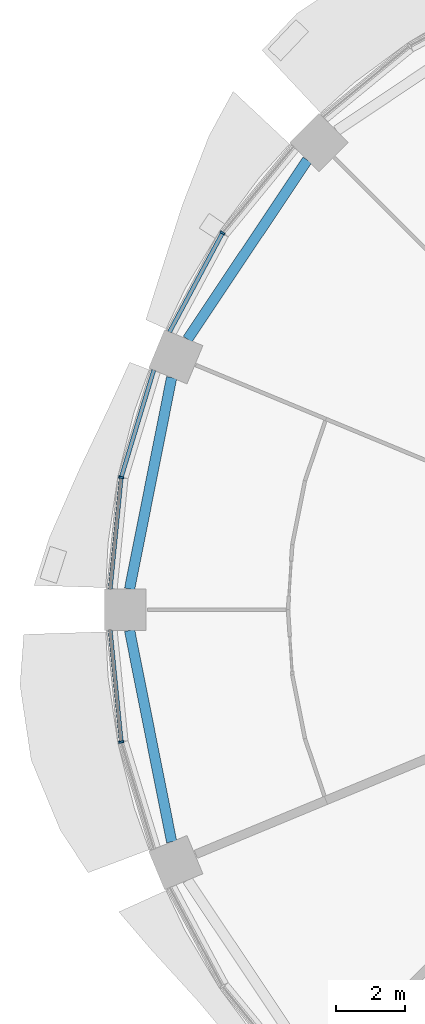
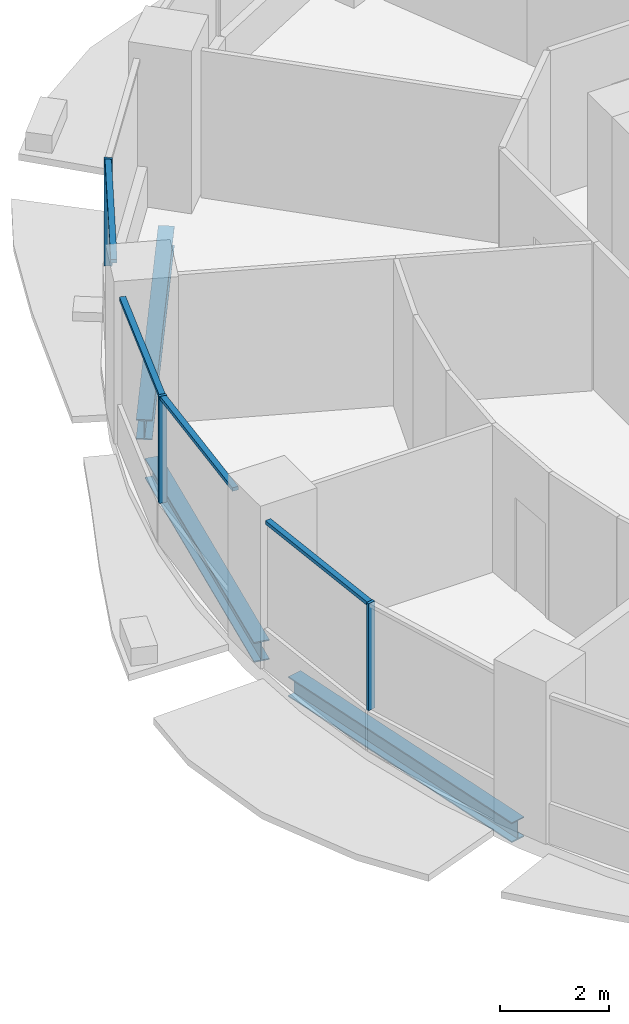
# One storey, part 4 of 15: 7 members, 3 beams, 3 elements without a shape of their own.
"""IFC4 building model written with IfcOpenShell, lengths in metres."""

from ifc_helpers import new_model, si_unit, direction, frame, origin, origin_2d, place, context, subcontext, project, spatial, rectangle, i_section, extrude, material, material_profile, profile_set, type_object, element, aggregate, save


model = new_model("IFC4")

# Units and contexts
model_context = context("Model", 3, precision=1e-05, world=origin(), true_north=direction((0.0, 1.0)))
body_context = subcontext(model_context, "Body", "Model", "MODEL_VIEW")
ifc_project = project(units=[si_unit("LENGTHUNIT", "METRE"), si_unit("AREAUNIT", "SQUARE_METRE"), si_unit("VOLUMEUNIT", "CUBIC_METRE"), si_unit("PLANEANGLEUNIT", "RADIAN"), si_unit("MASSUNIT", "GRAM", prefix="KILO")], contexts=[model_context])

# Site, building, storey
site_placement = place(None, origin())
site = spatial("IfcSite", under=ifc_project, at=site_placement, CompositionType="ELEMENT")
building_placement = place(site_placement, origin())
building = spatial("IfcBuilding", under=site, at=building_placement, Name="Polderwave Tower", CompositionType="ELEMENT")
storey_placement = place(building_placement, frame((0.0, 0.0, 40.800048828125)))
storey = spatial("IfcBuildingStorey", under=building, at=storey_placement, Name="L10", CompositionType="ELEMENT", Elevation=40.800048828125)

# Curtain wall, member
ifc_material_1 = material(Name="Aluminium 6063-T6 and glass", Category="aluminium")
curtain_wall_type = type_object("IfcCurtainWallType", Name="Growing floor ribbon glazing wall", PredefinedType="NOTDEFINED", material=ifc_material_1)
curtain_wall_1_placement = place(storey_placement, origin())
curtain_wall_1 = element("IfcCurtainWall", 1, at=curtain_wall_1_placement, inside=storey, type_object=curtain_wall_type, Name="CW2 L10 06", PredefinedType="NOTDEFINED")
ifc_material_2 = material(Name="Aluminium 6063-T6", Category="aluminium")
ifc_material_profile_1 = material_profile(ifc_material_2, rectangle(XDim=0.14990234375, YDim=0.06005859375, at=origin_2d()), Name="AL 60x150")
ifc_profile_set_1 = profile_set([ifc_material_profile_1], Name="Aluminium 6063-T6")
member_type_1 = type_object("IfcMemberType", Name="Growing floor ribbon glazing mullion 60x150", PredefinedType="MULLION", material=ifc_profile_set_1)
member_1_placement = place(storey_placement, frame((-16.304931640625, 10.89501953125, 0.89990234375), z_axis=(0.0, 0.0, 1.0), x_axis=(0.831468642648, -0.555571684207, 0.0)))
member_1 = element("IfcMember", 2, at=member_1_placement, type_object=member_type_1, Name="CW2 mullion 1", PredefinedType="MULLION", context=body_context, shape_type="SweptSolid", body=[
    extrude(rectangle(XDim=0.14990234375, YDim=0.06005859375, at=origin_2d()), origin(), (0.0, 0.0, 1.0), 2.400146484375),
])

curtain_wall_2_placement = place(storey_placement, origin())
curtain_wall_2 = element("IfcCurtainWall", 3, at=curtain_wall_2_placement, inside=storey, type_object=curtain_wall_type, Name="CW2 L10 07", PredefinedType="NOTDEFINED")
member_2_placement = place(storey_placement, frame((-19.23291015625, 3.825927734375, 0.89990234375), z_axis=(0.0, 0.0, 1.0), x_axis=(0.980767911179, -0.195177622698, 0.0)))
member_2 = element("IfcMember", 4, at=member_2_placement, type_object=member_type_1, Name="CW2 mullion 1", PredefinedType="MULLION", context=body_context, shape_type="SweptSolid", body=[
    extrude(rectangle(XDim=0.14990234375, YDim=0.06005859375, at=origin_2d()), origin(), (0.0, 0.0, 1.0), 2.400146484375),
])

curtain_wall_3_placement = place(storey_placement, origin())
curtain_wall_3 = element("IfcCurtainWall", 5, at=curtain_wall_3_placement, inside=storey, type_object=curtain_wall_type, Name="CW2 L10 08", PredefinedType="NOTDEFINED")
member_3_placement = place(storey_placement, frame((-19.23291015625, -3.825927734375, 0.89990234375), z_axis=(0.0, 0.0, 1.0), x_axis=(0.980767911179, 0.195177622698, 0.0)))
member_3 = element("IfcMember", 6, at=member_3_placement, type_object=member_type_1, Name="CW2 mullion 1", PredefinedType="MULLION", context=body_context, shape_type="SweptSolid", body=[
    extrude(rectangle(XDim=0.14990234375, YDim=0.06005859375, at=origin_2d()), origin(), (0.0, 0.0, 1.0), 2.400146484375),
])

# Member
ifc_material_profile_2 = material_profile(ifc_material_2, rectangle(XDim=0.1201171875, YDim=0.080078125, at=origin_2d()), Name="AL 80x120")
ifc_profile_set_2 = profile_set([ifc_material_profile_2], Name="Aluminium 6063-T6")
member_type_2 = type_object("IfcMemberType", Name="Growing floor ribbon glazing transom 80x120", PredefinedType="USERDEFINED", material=ifc_profile_set_2)
member_4_placement = place(storey_placement, frame((-16.319091796875, 10.868408203125, 3.260009765625), z_axis=(-0.471373193578, -0.881933848072, 0.0), x_axis=(0.881933848072, -0.471373193578, 0.0)))
member_4 = element("IfcMember", 7, at=member_4_placement, type_object=member_type_2, Name="CW2 transom 2", ObjectType="TRANSOM", PredefinedType="USERDEFINED", context=body_context, shape_type="SweptSolid", body=[
    extrude(rectangle(XDim=0.1201171875, YDim=0.080078125, at=origin_2d()), origin(), (0.0, 0.0, 1.0), 3.211669921875),
])

aggregate(curtain_wall_1, [member_1, member_4])

member_5_placement = place(storey_placement, frame((-18.2919921875, 6.927001953125, 3.260009765625), z_axis=(-0.290402031143, -0.956904728961, 0.0), x_axis=(0.956904728961, -0.290402031143, 0.0)))
member_5 = element("IfcMember", 8, at=member_5_placement, type_object=member_type_2, Name="CW2 transom 1", ObjectType="TRANSOM", PredefinedType="USERDEFINED", context=body_context, shape_type="SweptSolid", body=[
    extrude(rectangle(XDim=0.1201171875, YDim=0.080078125, at=origin_2d()), origin(), (0.0, 0.0, 1.0), 3.210693359375),
])

member_6_placement = place(storey_placement, frame((-19.23583984375, 3.796142578125, 3.260009765625), z_axis=(-0.098141294442, -0.99517249074, 0.0), x_axis=(0.99517249074, -0.098141294442, 0.0)))
member_6 = element("IfcMember", 9, at=member_6_placement, type_object=member_type_2, Name="CW2 transom 2", ObjectType="TRANSOM", PredefinedType="USERDEFINED", context=body_context, shape_type="SweptSolid", body=[
    extrude(rectangle(XDim=0.1201171875, YDim=0.080078125, at=origin_2d()), origin(), (0.0, 0.0, 1.0), 3.211669921875),
])

aggregate(curtain_wall_2, [member_2, member_5, member_6])

member_7_placement = place(storey_placement, frame((-19.551025390625, -0.60009765625, 3.260009765625), z_axis=(0.098141294442, -0.99517249074, 0.0), x_axis=(0.99517249074, 0.098141294442, 0.0)))
member_7 = element("IfcMember", 10, at=member_7_placement, type_object=member_type_2, Name="CW2 transom 1", ObjectType="TRANSOM", PredefinedType="USERDEFINED", context=body_context, shape_type="SweptSolid", body=[
    extrude(rectangle(XDim=0.1201171875, YDim=0.080078125, at=origin_2d()), origin(), (0.0, 0.0, 1.0), 3.211669921875),
])

aggregate(curtain_wall_3, [member_3, member_7])

# Beams
ifc_material_3 = material(Name="Steel S355", Category="steel")
ifc_material_profile_3 = material_profile(ifc_material_3, i_section(OverallWidth=0.300048828125, OverallDepth=0.449951171875, WebThickness=0.013916015625, FlangeThickness=0.02587890625, at=origin_2d()), Name="HE 450 B")
ifc_profile_set_3 = profile_set([ifc_material_profile_3], Name="Steel S355")
beam_type = type_object("IfcBeamType", Name="RING BEAM HE 450 B", PredefinedType="BEAM", material=ifc_profile_set_3)
beam_placement = place(storey_placement, frame((-13.852783203125, 13.004150390625, -0.574951171875), z_axis=(-0.555558644, -0.831477355721, 0.0), x_axis=(0.831477355721, -0.555558644, 0.0)))
element("IfcBeam", 11, at=beam_placement, inside=storey, type_object=beam_type, Name="ST-RB-L10-06", PredefinedType="BEAM", context=body_context, shape_type="SweptSolid", body=[
    extrude(i_section(OverallWidth=0.300048828125, OverallDepth=0.449951171875, WebThickness=0.013916015625, FlangeThickness=0.02587890625, at=origin_2d()), origin(), (0.0, 0.0, 1.0), 6.232666015625),
])
for number, where, z_axis, x_axis, name in (
    (12, (-17.774658203125, 6.713134765625, -0.574951171875), (-0.195106645934, -0.980782033233, 0.0), (0.980782033233, -0.195106645934, 0.0), "ST-RB-L10-07"),
    (13, (-18.99072265625, -0.60009765625, -0.574951171875), (0.195106645934, -0.980782033233, 0.0), (0.980782033233, 0.195106645934, 0.0), "ST-RB-L10-08"),
):
    element("IfcBeam", number, at=place(storey_placement, frame(where, z_axis=z_axis, x_axis=x_axis)), inside=storey, type_object=beam_type, Name=name, PredefinedType="BEAM", context=body_context, shape_type="SweptSolid", body=[
        extrude(i_section(OverallWidth=0.300048828125, OverallDepth=0.449951171875, WebThickness=0.013916015625, FlangeThickness=0.02587890625, at=origin_2d()), origin(), (0.0, 0.0, 1.0), 6.23291015625),
    ])

save(model, "model.ifc")
